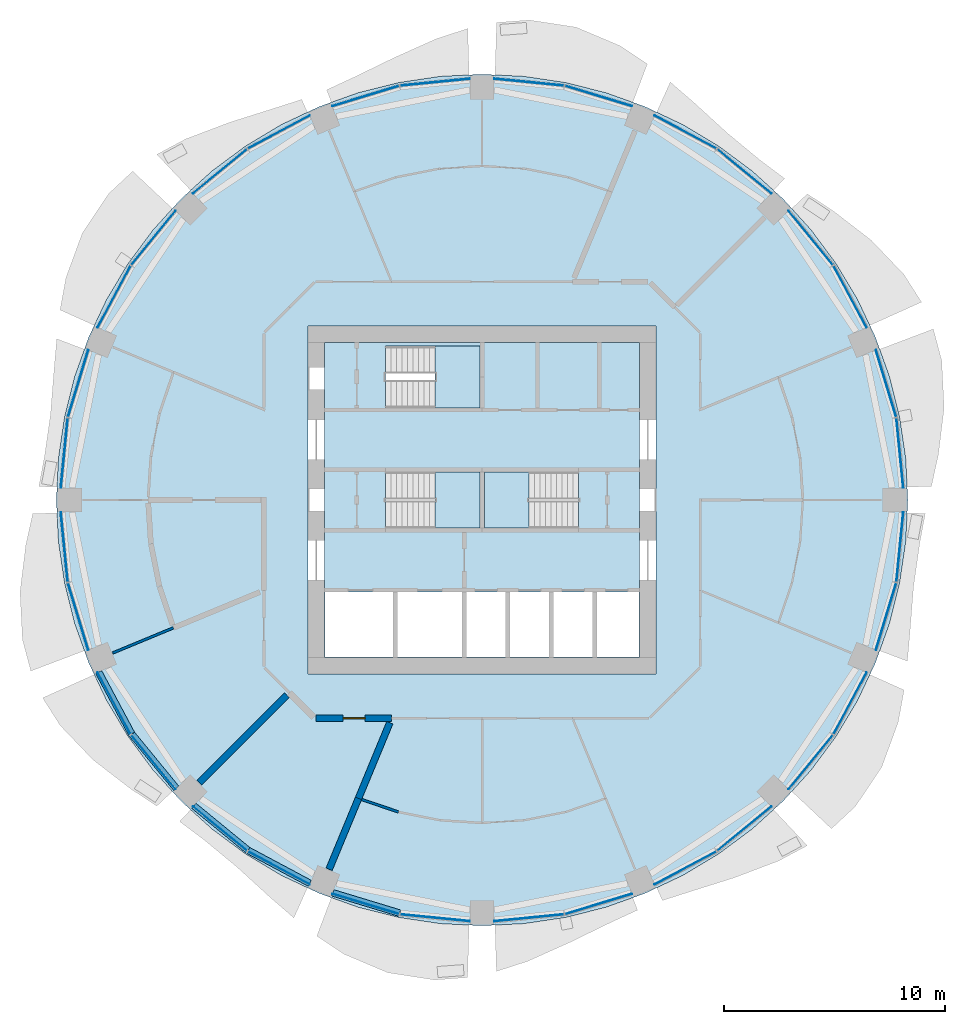
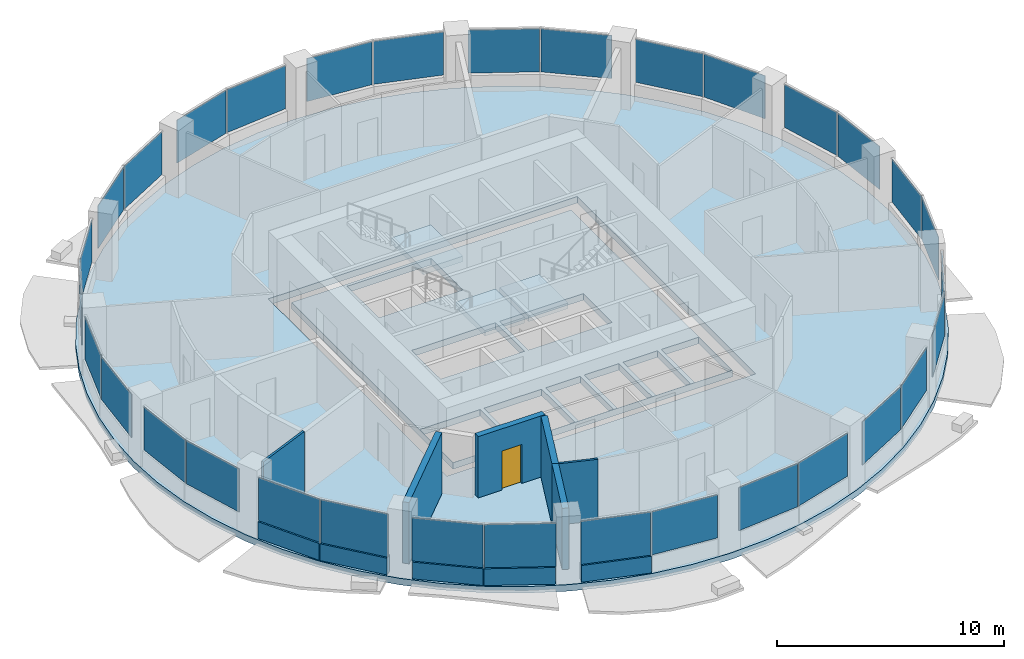
# One storey, part 6 of 14: 32 plates, 11 walls, 5 slabs, 1 door, 1 opening, 19 elements without a shape of their own.
"""IFC4 building model written with IfcOpenShell, lengths in metres."""

from ifc_helpers import new_model, si_unit, direction, frame, frame_2d, origin, origin_2d, place, context, subcontext, project, spatial, polyline, rectangle, outline, extrude, material, layer, layer_set, type_object, element, fill, aggregate, save


model = new_model("IFC4")

# Units and contexts
model_context = context("Model", 3, precision=1e-05, world=origin(), true_north=direction((0.0, 1.0)))
body_context = subcontext(model_context, "Body", "Model", "MODEL_VIEW")
ifc_project = project(units=[si_unit("LENGTHUNIT", "METRE"), si_unit("AREAUNIT", "SQUARE_METRE"), si_unit("VOLUMEUNIT", "CUBIC_METRE"), si_unit("PLANEANGLEUNIT", "RADIAN"), si_unit("MASSUNIT", "GRAM", prefix="KILO")], contexts=[model_context])

# Site, building, storey
site_placement = place(None, origin())
site = spatial("IfcSite", under=ifc_project, at=site_placement, CompositionType="ELEMENT")
building_placement = place(site_placement, origin())
building = spatial("IfcBuilding", under=site, at=building_placement, Name="Polderwave Tower", CompositionType="ELEMENT")
storey_placement = place(building_placement, frame((0.0, 0.0, 94.64990234375)))
storey = spatial("IfcBuildingStorey", under=building, at=storey_placement, Name="L24", CompositionType="ELEMENT", Elevation=94.64990234375)

# Slab
ifc_material_1 = material(Name="Concrete C40/50", Category="concrete")
ifc_layer_1 = layer(ifc_material_1, 0.35009765625)
ifc_layer_set_1 = layer_set([ifc_layer_1], Name="Core floor slab 350")
slab_type_1 = type_object("IfcSlabType", Name="Core floor slab 350", PredefinedType="FLOOR", material=ifc_layer_set_1)
slab_1_placement = place(storey_placement, frame((0.0, 0.0, -0.349853515625)))
element("IfcSlab", 1, at=slab_1_placement, inside=storey, type_object=slab_type_1, Name="L24 core floor", PredefinedType="FLOOR", context=body_context, shape_type="SweptSolid", body=[
    extrude(outline(polyline([(-7.1240234375, -7.1240234375), (7.1240234375, -7.1240234375), (7.1240234375, 7.1240234375), (-7.1240234375, 7.1240234375), (-7.1240234375, -7.1240234375)]), holes=[polyline([(-7.10400390625, -7.10400390625), (-4.037109375, -7.10400390625), (-4.037109375, -4.174072265625), (-7.10400390625, -4.174072265625), (-7.10400390625, -7.10400390625)]), polyline([(-3.8369140625, -7.10400390625), (-0.89990234375, -7.10400390625), (-0.89990234375, -4.174072265625), (-3.8369140625, -4.174072265625), (-3.8369140625, -7.10400390625)]), polyline([(-0.699951171875, -7.10400390625), (1.068603515625, -7.10400390625), (1.068603515625, -4.174072265625), (-0.699951171875, -4.174072265625), (-0.699951171875, -7.10400390625)]), polyline([(1.2685546875, -7.10400390625), (3.037109375, -7.10400390625), (3.037109375, -4.174072265625), (1.2685546875, -4.174072265625), (1.2685546875, -7.10400390625)]), polyline([(3.237060546875, -7.10400390625), (5.005615234375, -7.10400390625), (5.005615234375, -4.174072265625), (3.237060546875, -4.174072265625), (3.237060546875, -7.10400390625)]), polyline([(5.20556640625, -7.10400390625), (7.10400390625, -7.10400390625), (7.10400390625, -4.174072265625), (5.20556640625, -4.174072265625), (5.20556640625, -7.10400390625)]), polyline([(-4.37353515625, -1.2744140625), (-0.1005859375, -1.2744140625), (-0.1005859375, 1.2744140625), (-4.37353515625, 1.2744140625), (-4.37353515625, -1.2744140625)]), polyline([(0.1005859375, -1.2744140625), (4.37353515625, -1.2744140625), (4.37353515625, 1.2744140625), (0.1005859375, 1.2744140625), (0.1005859375, -1.2744140625)]), polyline([(-4.37353515625, 4.174560546875), (-0.1005859375, 4.174560546875), (-0.1005859375, 6.973388671875), (-4.37353515625, 6.973388671875), (-4.37353515625, 4.174560546875)])]), origin(), (0.0, 0.0, 1.0), 0.349853515625),
])

# Curtain wall, plates
ifc_material_2 = material(Name="Aluminium 6063-T6 and glass", Category="aluminium")
curtain_wall_type = type_object("IfcCurtainWallType", Name="Growing floor ribbon glazing wall", PredefinedType="NOTDEFINED", material=ifc_material_2)
curtain_wall_1_placement = place(storey_placement, origin())
curtain_wall_1 = element("IfcCurtainWall", 2, at=curtain_wall_1_placement, inside=storey, type_object=curtain_wall_type, Name="CW2 L24 00", PredefinedType="NOTDEFINED")
ifc_material_3 = material(Name="Glass, low-e laminated double glazing", Category="glass")
ifc_layer_2 = layer(ifc_material_3, 0.028076171875)
ifc_layer_set_2 = layer_set([ifc_layer_2], Name="Growing floor ribbon glazing glass panel 28 mm")
plate_type = type_object("IfcPlateType", Name="Growing floor ribbon glazing glass panel 28 mm", PredefinedType="CURTAIN_PANEL", material=ifc_layer_set_2)
plate_1_placement = place(storey_placement, frame((18.910888671875, 2.125, 0.89990234375), z_axis=(0.0, 0.0, 1.0), x_axis=(-0.097954610836, 0.995190883306, 0.0)))
plate_1 = element("IfcPlate", 3, at=plate_1_placement, type_object=plate_type, Name="CW2 panel 1", PredefinedType="CURTAIN_PANEL", context=body_context, shape_type="SweptSolid", body=[
    extrude(rectangle(XDim=3.165283203125, YDim=0.028076171875, at=origin_2d()), origin(), (0.0, 0.0, 1.0), 2.320068359375),
])
plate_2_placement = place(storey_placement, frame((18.28466796875, 5.2734375, 0.89990234375), z_axis=(0.0, 0.0, 1.0), x_axis=(-0.290389896585, 0.95690841148, 0.0)))
plate_2 = element("IfcPlate", 4, at=plate_2_placement, type_object=plate_type, Name="CW2 panel 2", PredefinedType="CURTAIN_PANEL", context=body_context, shape_type="SweptSolid", body=[
    extrude(rectangle(XDim=3.165771484375, YDim=0.028076171875, at=origin_2d()), origin(), (0.0, 0.0, 1.0), 2.320068359375),
])
aggregate(curtain_wall_1, [plate_1, plate_2])

curtain_wall_2_placement = place(storey_placement, origin())
curtain_wall_2 = element("IfcCurtainWall", 5, at=curtain_wall_2_placement, inside=storey, type_object=curtain_wall_type, Name="CW2 L24 01", PredefinedType="NOTDEFINED")
plate_3_placement = place(storey_placement, frame((16.658203125, 9.2001953125, 0.89990234375), z_axis=(0.0, 0.0, 1.0), x_axis=(-0.471205859658, 0.882023263766, 0.0)))
plate_3 = element("IfcPlate", 6, at=plate_3_placement, type_object=plate_type, Name="CW2 panel 1", PredefinedType="CURTAIN_PANEL", context=body_context, shape_type="SweptSolid", body=[
    extrude(rectangle(XDim=3.166015625, YDim=0.028076171875, at=origin_2d()), origin(), (0.0, 0.0, 1.0), 2.320068359375),
])
plate_4_placement = place(storey_placement, frame((14.87451171875, 11.86962890625, 0.89990234375), z_axis=(0.0, 0.0, 1.0), x_axis=(-0.634565960524, 0.772868709254, 0.0)))
plate_4 = element("IfcPlate", 7, at=plate_4_placement, type_object=plate_type, Name="CW2 panel 2", PredefinedType="CURTAIN_PANEL", context=body_context, shape_type="SweptSolid", body=[
    extrude(rectangle(XDim=3.166015625, YDim=0.028076171875, at=origin_2d()), origin(), (0.0, 0.0, 1.0), 2.320068359375),
])
aggregate(curtain_wall_2, [plate_3, plate_4])

curtain_wall_3_placement = place(storey_placement, origin())
curtain_wall_3 = element("IfcCurtainWall", 8, at=curtain_wall_3_placement, inside=storey, type_object=curtain_wall_type, Name="CW2 L24 02", PredefinedType="NOTDEFINED")
plate_5_placement = place(storey_placement, frame((11.86962890625, 14.87451171875, 0.89990234375), z_axis=(0.0, 0.0, 1.0), x_axis=(-0.772868709254, 0.634565960524, 0.0)))
plate_5 = element("IfcPlate", 9, at=plate_5_placement, type_object=plate_type, Name="CW2 panel 1", PredefinedType="CURTAIN_PANEL", context=body_context, shape_type="SweptSolid", body=[
    extrude(rectangle(XDim=3.166015625, YDim=0.028076171875, at=origin_2d()), origin(), (0.0, 0.0, 1.0), 2.320068359375),
])
plate_6_placement = place(storey_placement, frame((9.2001953125, 16.658203125, 0.89990234375), z_axis=(0.0, 0.0, 1.0), x_axis=(-0.882023263766, 0.471205859658, 0.0)))
plate_6 = element("IfcPlate", 10, at=plate_6_placement, type_object=plate_type, Name="CW2 panel 2", PredefinedType="CURTAIN_PANEL", context=body_context, shape_type="SweptSolid", body=[
    extrude(rectangle(XDim=3.166015625, YDim=0.028076171875, at=origin_2d()), origin(), (0.0, 0.0, 1.0), 2.320068359375),
])
aggregate(curtain_wall_3, [plate_5, plate_6])

curtain_wall_4_placement = place(storey_placement, origin())
curtain_wall_4 = element("IfcCurtainWall", 11, at=curtain_wall_4_placement, inside=storey, type_object=curtain_wall_type, Name="CW2 L24 03", PredefinedType="NOTDEFINED")
plate_7_placement = place(storey_placement, frame((5.2734375, 18.28466796875, 0.89990234375), z_axis=(0.0, 0.0, 1.0), x_axis=(-0.95690841148, 0.290389896585, 0.0)))
plate_7 = element("IfcPlate", 12, at=plate_7_placement, type_object=plate_type, Name="CW2 panel 1", PredefinedType="CURTAIN_PANEL", context=body_context, shape_type="SweptSolid", body=[
    extrude(rectangle(XDim=3.165771484375, YDim=0.028076171875, at=origin_2d()), origin(), (0.0, 0.0, 1.0), 2.320068359375),
])
plate_8_placement = place(storey_placement, frame((2.125, 18.910888671875, 0.89990234375), z_axis=(0.0, 0.0, 1.0), x_axis=(-0.995190883306, 0.097954610836, 0.0)))
plate_8 = element("IfcPlate", 13, at=plate_8_placement, type_object=plate_type, Name="CW2 panel 2", PredefinedType="CURTAIN_PANEL", context=body_context, shape_type="SweptSolid", body=[
    extrude(rectangle(XDim=3.165283203125, YDim=0.028076171875, at=origin_2d()), origin(), (0.0, 0.0, 1.0), 2.320068359375),
])
aggregate(curtain_wall_4, [plate_7, plate_8])

curtain_wall_5_placement = place(storey_placement, origin())
curtain_wall_5 = element("IfcCurtainWall", 14, at=curtain_wall_5_placement, inside=storey, type_object=curtain_wall_type, Name="CW2 L24 04", PredefinedType="NOTDEFINED")
plate_9_placement = place(storey_placement, frame((-2.125, 18.910888671875, 0.89990234375), z_axis=(0.0, 0.0, 1.0), x_axis=(-0.995190883306, -0.097954610836, 0.0)))
plate_9 = element("IfcPlate", 15, at=plate_9_placement, type_object=plate_type, Name="CW2 panel 1", PredefinedType="CURTAIN_PANEL", context=body_context, shape_type="SweptSolid", body=[
    extrude(rectangle(XDim=3.165283203125, YDim=0.028076171875, at=origin_2d()), origin(), (0.0, 0.0, 1.0), 2.320068359375),
])
plate_10_placement = place(storey_placement, frame((-5.2734375, 18.28466796875, 0.89990234375), z_axis=(0.0, 0.0, 1.0), x_axis=(-0.95690841148, -0.290389896585, 0.0)))
plate_10 = element("IfcPlate", 16, at=plate_10_placement, type_object=plate_type, Name="CW2 panel 2", PredefinedType="CURTAIN_PANEL", context=body_context, shape_type="SweptSolid", body=[
    extrude(rectangle(XDim=3.165771484375, YDim=0.028076171875, at=origin_2d()), origin(), (0.0, 0.0, 1.0), 2.320068359375),
])
aggregate(curtain_wall_5, [plate_9, plate_10])

curtain_wall_6_placement = place(storey_placement, origin())
curtain_wall_6 = element("IfcCurtainWall", 17, at=curtain_wall_6_placement, inside=storey, type_object=curtain_wall_type, Name="CW2 L24 05", PredefinedType="NOTDEFINED")
plate_11_placement = place(storey_placement, frame((-9.2001953125, 16.658203125, 0.89990234375), z_axis=(0.0, 0.0, 1.0), x_axis=(-0.882023263766, -0.471205859658, 0.0)))
plate_11 = element("IfcPlate", 18, at=plate_11_placement, type_object=plate_type, Name="CW2 panel 1", PredefinedType="CURTAIN_PANEL", context=body_context, shape_type="SweptSolid", body=[
    extrude(rectangle(XDim=3.166015625, YDim=0.028076171875, at=origin_2d()), origin(), (0.0, 0.0, 1.0), 2.320068359375),
])
plate_12_placement = place(storey_placement, frame((-11.86962890625, 14.87451171875, 0.89990234375), z_axis=(0.0, 0.0, 1.0), x_axis=(-0.772868709254, -0.634565960524, 0.0)))
plate_12 = element("IfcPlate", 19, at=plate_12_placement, type_object=plate_type, Name="CW2 panel 2", PredefinedType="CURTAIN_PANEL", context=body_context, shape_type="SweptSolid", body=[
    extrude(rectangle(XDim=3.166015625, YDim=0.028076171875, at=origin_2d()), origin(), (0.0, 0.0, 1.0), 2.320068359375),
])
aggregate(curtain_wall_6, [plate_11, plate_12])

curtain_wall_7_placement = place(storey_placement, origin())
curtain_wall_7 = element("IfcCurtainWall", 20, at=curtain_wall_7_placement, inside=storey, type_object=curtain_wall_type, Name="CW2 L24 06", PredefinedType="NOTDEFINED")
plate_13_placement = place(storey_placement, frame((-14.87451171875, 11.86962890625, 0.89990234375), z_axis=(0.0, 0.0, 1.0), x_axis=(-0.634565960524, -0.772868709254, 0.0)))
plate_13 = element("IfcPlate", 21, at=plate_13_placement, type_object=plate_type, Name="CW2 panel 1", PredefinedType="CURTAIN_PANEL", context=body_context, shape_type="SweptSolid", body=[
    extrude(rectangle(XDim=3.166015625, YDim=0.028076171875, at=origin_2d()), origin(), (0.0, 0.0, 1.0), 2.320068359375),
])
plate_14_placement = place(storey_placement, frame((-16.658203125, 9.2001953125, 0.89990234375), z_axis=(0.0, 0.0, 1.0), x_axis=(-0.471205859658, -0.882023263766, 0.0)))
plate_14 = element("IfcPlate", 22, at=plate_14_placement, type_object=plate_type, Name="CW2 panel 2", PredefinedType="CURTAIN_PANEL", context=body_context, shape_type="SweptSolid", body=[
    extrude(rectangle(XDim=3.166015625, YDim=0.028076171875, at=origin_2d()), origin(), (0.0, 0.0, 1.0), 2.320068359375),
])
aggregate(curtain_wall_7, [plate_13, plate_14])

curtain_wall_8_placement = place(storey_placement, origin())
curtain_wall_8 = element("IfcCurtainWall", 23, at=curtain_wall_8_placement, inside=storey, type_object=curtain_wall_type, Name="CW2 L24 07", PredefinedType="NOTDEFINED")
plate_15_placement = place(storey_placement, frame((-18.28466796875, 5.2734375, 0.89990234375), z_axis=(0.0, 0.0, 1.0), x_axis=(-0.290389896585, -0.95690841148, 0.0)))
plate_15 = element("IfcPlate", 24, at=plate_15_placement, type_object=plate_type, Name="CW2 panel 1", PredefinedType="CURTAIN_PANEL", context=body_context, shape_type="SweptSolid", body=[
    extrude(rectangle(XDim=3.165771484375, YDim=0.028076171875, at=origin_2d()), origin(), (0.0, 0.0, 1.0), 2.320068359375),
])
plate_16_placement = place(storey_placement, frame((-18.910888671875, 2.125, 0.89990234375), z_axis=(0.0, 0.0, 1.0), x_axis=(-0.097954610836, -0.995190883306, 0.0)))
plate_16 = element("IfcPlate", 25, at=plate_16_placement, type_object=plate_type, Name="CW2 panel 2", PredefinedType="CURTAIN_PANEL", context=body_context, shape_type="SweptSolid", body=[
    extrude(rectangle(XDim=3.165283203125, YDim=0.028076171875, at=origin_2d()), origin(), (0.0, 0.0, 1.0), 2.320068359375),
])
aggregate(curtain_wall_8, [plate_15, plate_16])

curtain_wall_9_placement = place(storey_placement, origin())
curtain_wall_9 = element("IfcCurtainWall", 26, at=curtain_wall_9_placement, inside=storey, type_object=curtain_wall_type, Name="CW2 L24 08", PredefinedType="NOTDEFINED")
plate_17_placement = place(storey_placement, frame((-18.910888671875, -2.125, 0.89990234375), z_axis=(0.0, 0.0, 1.0), x_axis=(0.097954610836, -0.995190883306, 0.0)))
plate_17 = element("IfcPlate", 27, at=plate_17_placement, type_object=plate_type, Name="CW2 panel 1", PredefinedType="CURTAIN_PANEL", context=body_context, shape_type="SweptSolid", body=[
    extrude(rectangle(XDim=3.165283203125, YDim=0.028076171875, at=origin_2d()), origin(), (0.0, 0.0, 1.0), 2.320068359375),
])
plate_18_placement = place(storey_placement, frame((-18.28466796875, -5.2734375, 0.89990234375), z_axis=(0.0, 0.0, 1.0), x_axis=(0.290389896585, -0.95690841148, 0.0)))
plate_18 = element("IfcPlate", 28, at=plate_18_placement, type_object=plate_type, Name="CW2 panel 2", PredefinedType="CURTAIN_PANEL", context=body_context, shape_type="SweptSolid", body=[
    extrude(rectangle(XDim=3.165771484375, YDim=0.028076171875, at=origin_2d()), origin(), (0.0, 0.0, 1.0), 2.320068359375),
])
aggregate(curtain_wall_9, [plate_17, plate_18])

curtain_wall_10_placement = place(storey_placement, origin())
curtain_wall_10 = element("IfcCurtainWall", 29, at=curtain_wall_10_placement, inside=storey, type_object=curtain_wall_type, Name="CW2 L24 09", PredefinedType="NOTDEFINED")
plate_19_placement = place(storey_placement, frame((-16.658203125, -9.2001953125, 0.89990234375), z_axis=(0.0, 0.0, 1.0), x_axis=(0.471205859658, -0.882023263766, 0.0)))
plate_19 = element("IfcPlate", 30, at=plate_19_placement, type_object=plate_type, Name="CW2 panel 1", PredefinedType="CURTAIN_PANEL", context=body_context, shape_type="SweptSolid", body=[
    extrude(rectangle(XDim=3.166015625, YDim=0.028076171875, at=origin_2d()), origin(), (0.0, 0.0, 1.0), 2.320068359375),
])
plate_20_placement = place(storey_placement, frame((-14.87451171875, -11.86962890625, 0.89990234375), z_axis=(0.0, 0.0, 1.0), x_axis=(0.634565960524, -0.772868709254, 0.0)))
plate_20 = element("IfcPlate", 31, at=plate_20_placement, type_object=plate_type, Name="CW2 panel 2", PredefinedType="CURTAIN_PANEL", context=body_context, shape_type="SweptSolid", body=[
    extrude(rectangle(XDim=3.166015625, YDim=0.028076171875, at=origin_2d()), origin(), (0.0, 0.0, 1.0), 2.320068359375),
])
aggregate(curtain_wall_10, [plate_19, plate_20])

curtain_wall_11_placement = place(storey_placement, origin())
curtain_wall_11 = element("IfcCurtainWall", 32, at=curtain_wall_11_placement, inside=storey, type_object=curtain_wall_type, Name="CW2 L24 10", PredefinedType="NOTDEFINED")
plate_21_placement = place(storey_placement, frame((-11.86962890625, -14.87451171875, 0.89990234375), z_axis=(0.0, 0.0, 1.0), x_axis=(0.772868709254, -0.634565960524, 0.0)))
plate_21 = element("IfcPlate", 33, at=plate_21_placement, type_object=plate_type, Name="CW2 panel 1", PredefinedType="CURTAIN_PANEL", context=body_context, shape_type="SweptSolid", body=[
    extrude(rectangle(XDim=3.166015625, YDim=0.028076171875, at=origin_2d()), origin(), (0.0, 0.0, 1.0), 2.320068359375),
])
plate_22_placement = place(storey_placement, frame((-9.2001953125, -16.658203125, 0.89990234375), z_axis=(0.0, 0.0, 1.0), x_axis=(0.882023263766, -0.471205859658, 0.0)))
plate_22 = element("IfcPlate", 34, at=plate_22_placement, type_object=plate_type, Name="CW2 panel 2", PredefinedType="CURTAIN_PANEL", context=body_context, shape_type="SweptSolid", body=[
    extrude(rectangle(XDim=3.166015625, YDim=0.028076171875, at=origin_2d()), origin(), (0.0, 0.0, 1.0), 2.320068359375),
])
aggregate(curtain_wall_11, [plate_21, plate_22])

curtain_wall_12_placement = place(storey_placement, origin())
curtain_wall_12 = element("IfcCurtainWall", 35, at=curtain_wall_12_placement, inside=storey, type_object=curtain_wall_type, Name="CW2 L24 11", PredefinedType="NOTDEFINED")
plate_23_placement = place(storey_placement, frame((-5.2734375, -18.28466796875, 0.89990234375), z_axis=(0.0, 0.0, 1.0), x_axis=(0.95690841148, -0.290389896585, 0.0)))
plate_23 = element("IfcPlate", 36, at=plate_23_placement, type_object=plate_type, Name="CW2 panel 1", PredefinedType="CURTAIN_PANEL", context=body_context, shape_type="SweptSolid", body=[
    extrude(rectangle(XDim=3.165771484375, YDim=0.028076171875, at=origin_2d()), origin(), (0.0, 0.0, 1.0), 2.320068359375),
])
plate_24_placement = place(storey_placement, frame((-2.125, -18.910888671875, 0.89990234375), z_axis=(0.0, 0.0, 1.0), x_axis=(0.995190883306, -0.097954610836, 0.0)))
plate_24 = element("IfcPlate", 37, at=plate_24_placement, type_object=plate_type, Name="CW2 panel 2", PredefinedType="CURTAIN_PANEL", context=body_context, shape_type="SweptSolid", body=[
    extrude(rectangle(XDim=3.165283203125, YDim=0.028076171875, at=origin_2d()), origin(), (0.0, 0.0, 1.0), 2.320068359375),
])
aggregate(curtain_wall_12, [plate_23, plate_24])

curtain_wall_13_placement = place(storey_placement, origin())
curtain_wall_13 = element("IfcCurtainWall", 38, at=curtain_wall_13_placement, inside=storey, type_object=curtain_wall_type, Name="CW2 L24 12", PredefinedType="NOTDEFINED")
plate_25_placement = place(storey_placement, frame((2.125, -18.910888671875, 0.89990234375), z_axis=(0.0, 0.0, 1.0), x_axis=(0.995190883306, 0.097954610836, 0.0)))
plate_25 = element("IfcPlate", 39, at=plate_25_placement, type_object=plate_type, Name="CW2 panel 1", PredefinedType="CURTAIN_PANEL", context=body_context, shape_type="SweptSolid", body=[
    extrude(rectangle(XDim=3.165283203125, YDim=0.028076171875, at=origin_2d()), origin(), (0.0, 0.0, 1.0), 2.320068359375),
])
plate_26_placement = place(storey_placement, frame((5.2734375, -18.28466796875, 0.89990234375), z_axis=(0.0, 0.0, 1.0), x_axis=(0.95690841148, 0.290389896585, 0.0)))
plate_26 = element("IfcPlate", 40, at=plate_26_placement, type_object=plate_type, Name="CW2 panel 2", PredefinedType="CURTAIN_PANEL", context=body_context, shape_type="SweptSolid", body=[
    extrude(rectangle(XDim=3.165771484375, YDim=0.028076171875, at=origin_2d()), origin(), (0.0, 0.0, 1.0), 2.320068359375),
])
aggregate(curtain_wall_13, [plate_25, plate_26])

curtain_wall_14_placement = place(storey_placement, origin())
curtain_wall_14 = element("IfcCurtainWall", 41, at=curtain_wall_14_placement, inside=storey, type_object=curtain_wall_type, Name="CW2 L24 13", PredefinedType="NOTDEFINED")
plate_27_placement = place(storey_placement, frame((9.2001953125, -16.658203125, 0.89990234375), z_axis=(0.0, 0.0, 1.0), x_axis=(0.882023263766, 0.471205859658, 0.0)))
plate_27 = element("IfcPlate", 42, at=plate_27_placement, type_object=plate_type, Name="CW2 panel 1", PredefinedType="CURTAIN_PANEL", context=body_context, shape_type="SweptSolid", body=[
    extrude(rectangle(XDim=3.166015625, YDim=0.028076171875, at=origin_2d()), origin(), (0.0, 0.0, 1.0), 2.320068359375),
])
plate_28_placement = place(storey_placement, frame((11.86962890625, -14.87451171875, 0.89990234375), z_axis=(0.0, 0.0, 1.0), x_axis=(0.772868709254, 0.634565960524, 0.0)))
plate_28 = element("IfcPlate", 43, at=plate_28_placement, type_object=plate_type, Name="CW2 panel 2", PredefinedType="CURTAIN_PANEL", context=body_context, shape_type="SweptSolid", body=[
    extrude(rectangle(XDim=3.166015625, YDim=0.028076171875, at=origin_2d()), origin(), (0.0, 0.0, 1.0), 2.320068359375),
])
aggregate(curtain_wall_14, [plate_27, plate_28])

curtain_wall_15_placement = place(storey_placement, origin())
curtain_wall_15 = element("IfcCurtainWall", 44, at=curtain_wall_15_placement, inside=storey, type_object=curtain_wall_type, Name="CW2 L24 14", PredefinedType="NOTDEFINED")
plate_29_placement = place(storey_placement, frame((14.87451171875, -11.86962890625, 0.89990234375), z_axis=(0.0, 0.0, 1.0), x_axis=(0.634565960524, 0.772868709254, 0.0)))
plate_29 = element("IfcPlate", 45, at=plate_29_placement, type_object=plate_type, Name="CW2 panel 1", PredefinedType="CURTAIN_PANEL", context=body_context, shape_type="SweptSolid", body=[
    extrude(rectangle(XDim=3.166015625, YDim=0.028076171875, at=origin_2d()), origin(), (0.0, 0.0, 1.0), 2.320068359375),
])
plate_30_placement = place(storey_placement, frame((16.658203125, -9.2001953125, 0.89990234375), z_axis=(0.0, 0.0, 1.0), x_axis=(0.471205859658, 0.882023263766, 0.0)))
plate_30 = element("IfcPlate", 46, at=plate_30_placement, type_object=plate_type, Name="CW2 panel 2", PredefinedType="CURTAIN_PANEL", context=body_context, shape_type="SweptSolid", body=[
    extrude(rectangle(XDim=3.166015625, YDim=0.028076171875, at=origin_2d()), origin(), (0.0, 0.0, 1.0), 2.320068359375),
])
aggregate(curtain_wall_15, [plate_29, plate_30])

curtain_wall_16_placement = place(storey_placement, origin())
curtain_wall_16 = element("IfcCurtainWall", 47, at=curtain_wall_16_placement, inside=storey, type_object=curtain_wall_type, Name="CW2 L24 15", PredefinedType="NOTDEFINED")
plate_31_placement = place(storey_placement, frame((18.28466796875, -5.2734375, 0.89990234375), z_axis=(0.0, 0.0, 1.0), x_axis=(0.290389896585, 0.95690841148, 0.0)))
plate_31 = element("IfcPlate", 48, at=plate_31_placement, type_object=plate_type, Name="CW2 panel 1", PredefinedType="CURTAIN_PANEL", context=body_context, shape_type="SweptSolid", body=[
    extrude(rectangle(XDim=3.165771484375, YDim=0.028076171875, at=origin_2d()), origin(), (0.0, 0.0, 1.0), 2.320068359375),
])
plate_32_placement = place(storey_placement, frame((18.910888671875, -2.125, 0.89990234375), z_axis=(0.0, 0.0, 1.0), x_axis=(0.097954610836, 0.995190883306, 0.0)))
plate_32 = element("IfcPlate", 49, at=plate_32_placement, type_object=plate_type, Name="CW2 panel 2", PredefinedType="CURTAIN_PANEL", context=body_context, shape_type="SweptSolid", body=[
    extrude(rectangle(XDim=3.165283203125, YDim=0.028076171875, at=origin_2d()), origin(), (0.0, 0.0, 1.0), 2.320068359375),
])
aggregate(curtain_wall_16, [plate_31, plate_32])

# Slab
ifc_layer_3 = layer(ifc_material_1, 0.35009765625)
ifc_layer_set_3 = layer_set([ifc_layer_3], Name="PT FLOOR SLAB 350 C40/50")
slab_type_2 = type_object("IfcSlabType", Name="PT FLOOR SLAB 350 C40/50", PredefinedType="FLOOR", material=ifc_layer_set_3)
slab_2_placement = place(storey_placement, frame((0.0, 0.0, -0.349853515625)))
element("IfcSlab", 50, at=slab_2_placement, inside=storey, type_object=slab_type_2, Name="ST-SLAB-L24", PredefinedType="FLOOR", context=body_context, shape_type="SweptSolid", body=[
    extrude(outline(polyline([(19.27001953125, 0.0), (19.17724609375, 1.888916015625), (18.899658203125, 3.759521484375), (18.440185546875, 5.59375), (17.80322265625, 7.374267578125), (16.99462890625, 9.083740234375), (16.0224609375, 10.705810546875), (14.89599609375, 12.224853515625), (13.6259765625, 13.6259765625), (12.224853515625, 14.89599609375), (10.705810546875, 16.0224609375), (9.083740234375, 16.99462890625), (7.374267578125, 17.80322265625), (5.59375, 18.440185546875), (3.759521484375, 18.899658203125), (1.888916015625, 19.17724609375), (0.0, 19.27001953125), (-1.888916015625, 19.17724609375), (-3.759521484375, 18.899658203125), (-5.59375, 18.440185546875), (-7.374267578125, 17.80322265625), (-9.083740234375, 16.99462890625), (-10.705810546875, 16.0224609375), (-12.224853515625, 14.89599609375), (-13.6259765625, 13.6259765625), (-14.89599609375, 12.224853515625), (-16.0224609375, 10.705810546875), (-16.99462890625, 9.083740234375), (-17.80322265625, 7.374267578125), (-18.440185546875, 5.59375), (-18.899658203125, 3.759521484375), (-19.17724609375, 1.888916015625), (-19.27001953125, 0.0), (-19.17724609375, -1.888916015625), (-18.899658203125, -3.759521484375), (-18.440185546875, -5.59375), (-17.80322265625, -7.374267578125), (-16.99462890625, -9.083740234375), (-16.0224609375, -10.705810546875), (-14.89599609375, -12.224853515625), (-13.6259765625, -13.6259765625), (-12.224853515625, -14.89599609375), (-10.705810546875, -16.0224609375), (-9.083740234375, -16.99462890625), (-7.374267578125, -17.80322265625), (-5.59375, -18.440185546875), (-3.759521484375, -18.899658203125), (-1.888916015625, -19.17724609375), (0.0, -19.27001953125), (1.888916015625, -19.17724609375), (3.759521484375, -18.899658203125), (5.59375, -18.440185546875), (7.374267578125, -17.80322265625), (9.083740234375, -16.99462890625), (10.705810546875, -16.0224609375), (12.224853515625, -14.89599609375), (13.6259765625, -13.6259765625), (14.89599609375, -12.224853515625), (16.0224609375, -10.705810546875), (16.99462890625, -9.083740234375), (17.80322265625, -7.374267578125), (18.440185546875, -5.59375), (18.899658203125, -3.759521484375), (19.17724609375, -1.888916015625), (19.27001953125, 0.0)]), holes=[polyline([(-7.8740234375, -7.8740234375), (7.8740234375, -7.8740234375), (7.8740234375, 7.8740234375), (-7.8740234375, 7.8740234375), (-7.8740234375, -7.8740234375)])]), origin(), (0.0, 0.0, 1.0), 0.349853515625),
])

# Stair, slab
stair_type = type_object("IfcStairType", Name="Exit stair 1200 x 20 risers", PredefinedType="HALF_TURN_STAIR", material=ifc_material_1)
stair_1_placement = place(storey_placement, origin())
stair_1 = element("IfcStair", 51, at=stair_1_placement, inside=storey, type_object=stair_type, Name="L24 Exit stair A", PredefinedType="HALF_TURN_STAIR")
ifc_layer_4 = layer(ifc_material_1, 0.300048828125)
ifc_layer_set_4 = layer_set([ifc_layer_4], Name="Stair landing 300")
slab_type_3 = type_object("IfcSlabType", Name="Stair landing 300", PredefinedType="LANDING", material=ifc_layer_set_4)
slab_3_placement = place(storey_placement, frame((0.0, 0.0, 1.525146484375)))
slab_3 = element("IfcSlab", 52, at=slab_3_placement, type_object=slab_type_3, Name="ST-A landing 1", PredefinedType="LANDING", context=body_context, shape_type="SweptSolid", body=[
    extrude(outline(polyline([(-2.1240234375, -1.27490234375), (-0.10009765625, -1.27490234375), (-0.10009765625, 1.27490234375), (-2.1240234375, 1.27490234375), (-2.1240234375, -1.27490234375)])), origin(), (0.0, 0.0, 1.0), 0.300048828125),
])
aggregate(stair_1, [slab_3])

stair_2_placement = place(storey_placement, origin())
stair_2 = element("IfcStair", 53, at=stair_2_placement, inside=storey, type_object=stair_type, Name="L24 Exit stair B", PredefinedType="HALF_TURN_STAIR")
slab_4_placement = place(storey_placement, frame((0.0, 0.0, 1.525146484375)))
slab_4 = element("IfcSlab", 54, at=slab_4_placement, type_object=slab_type_3, Name="ST-B landing 1", PredefinedType="LANDING", context=body_context, shape_type="SweptSolid", body=[
    extrude(outline(polyline([(2.1240234375, 1.27490234375), (0.10009765625, 1.27490234375), (0.10009765625, -1.27490234375), (2.1240234375, -1.27490234375), (2.1240234375, 1.27490234375)])), origin(), (0.0, 0.0, 1.0), 0.300048828125),
])
aggregate(stair_2, [slab_4])

stair_3_placement = place(storey_placement, origin())
stair_3 = element("IfcStair", 55, at=stair_3_placement, inside=storey, type_object=stair_type, Name="L24 Exit stair C", PredefinedType="HALF_TURN_STAIR")
slab_5_placement = place(storey_placement, frame((0.0, 0.0, 1.525146484375)))
slab_5 = element("IfcSlab", 56, at=slab_5_placement, type_object=slab_type_3, Name="ST-C landing 1", PredefinedType="LANDING", context=body_context, shape_type="SweptSolid", body=[
    extrude(outline(polyline([(-2.1240234375, 4.174072265625), (-0.10009765625, 4.174072265625), (-0.10009765625, 6.97412109375), (-2.1240234375, 6.97412109375), (-2.1240234375, 4.174072265625)])), origin(), (0.0, 0.0, 1.0), 0.300048828125),
])
aggregate(stair_3, [slab_5])

# Wall, opening, door
ifc_material_4 = material(Name="Insulated sandwich panel")
ifc_layer_5 = layer(ifc_material_4, 0.300048828125)
ifc_layer_set_5 = layer_set([ifc_layer_5], Name="Cold room wall 300 mm insulated panel")
wall_type_1 = type_object("IfcWallType", Name="Cold room wall 300 mm insulated panel", PredefinedType="PARTITIONING", material=ifc_layer_set_5)
wall_1_placement = place(storey_placement, frame((-4.08984375, -9.8740234375, 0.0), z_axis=(0.0, 0.0, 1.0), x_axis=(-1.0, 0.0, 0.0)))
wall_1 = element("IfcWall", 57, at=wall_1_placement, inside=storey, type_object=wall_type_1, Name="IN-L24-W017", PredefinedType="PARTITIONING", context=body_context, shape_type="SweptSolid", body=[
    extrude(rectangle(XDim=3.419189453125, YDim=0.300048828125, at=frame_2d((1.70947265625, 0.0))), origin(), (0.0, 0.0, 1.0), 3.300048828125),
])
opening_placement = place(wall_1_placement, frame((1.199951171875, 0.0, 0.0)))
opening = element("IfcOpeningElement", 58, at=opening_placement, cuts=wall_1, Name="Opening L24-D56", PredefinedType="OPENING", context=body_context, shape_type="SweptSolid", body=[
    extrude(rectangle(XDim=1.0, YDim=2.10009765625, at=frame_2d((0.5, 1.050048828125))), frame((0.0, 0.159912109375, 0.0), z_axis=(0.0, -1.0, 0.0), x_axis=(1.0, 0.0, 0.0)), (0.0, 0.0, 1.0), 0.320068359375),
])
ifc_material_5 = material(Name="Steel plant door leaf", Category="steel")
door_type = type_object("IfcDoorType", Name="Plant door FD60 1000 x 2100 steel", OperationType="NOTDEFINED", PredefinedType="DOOR", material=ifc_material_5)
door_placement = place(opening_placement, origin())
door = element("IfcDoor", 59, at=door_placement, inside=storey, type_object=door_type, Name="Door L24-D56", OperationType="SINGLE_SWING_LEFT", OverallHeight=2.10009765625, OverallWidth=1.0, PredefinedType="DOOR", context=body_context, shape_type="SweptSolid", body=[
    extrude(rectangle(XDim=1.0, YDim=2.10009765625, at=frame_2d((0.5, 1.050048828125))), frame((0.0, 0.02490234375, 0.0), z_axis=(0.0, -1.0, 0.0), x_axis=(1.0, 0.0, 0.0)), (0.0, 0.0, 1.0), 0.050048828125),
])
fill(opening, door)

# Walls
wall_2_placement = place(storey_placement, frame((-12.79150390625, -12.79150390625, 0.0), z_axis=(0.0, 0.0, 1.0), x_axis=(0.707106781187, 0.707106781187, 0.0)))
element("IfcWall", 60, at=wall_2_placement, inside=storey, type_object=wall_type_1, Name="IN-L24-W053", PredefinedType="PARTITIONING", context=body_context, shape_type="SweptSolid", body=[
    extrude(rectangle(XDim=5.6044921875, YDim=0.300048828125, at=frame_2d((2.80224609375, 0.0))), origin(), (0.0, 0.0, 1.0), 3.300048828125),
])
wall_3_placement = place(storey_placement, frame((-4.17578125, -10.081298828125, 0.0), z_axis=(0.0, 0.0, 1.0), x_axis=(-0.382669680004, -0.923885228806, 0.0)))
element("IfcWall", 61, at=wall_3_placement, inside=storey, type_object=wall_type_1, Name="IN-L24-W054", PredefinedType="PARTITIONING", context=body_context, shape_type="SweptSolid", body=[
    extrude(rectangle(XDim=3.7080078125, YDim=0.300048828125, at=frame_2d((1.85400390625, 0.0))), origin(), (0.0, 0.0, 1.0), 3.300048828125),
])
wall_4_placement = place(storey_placement, frame((-5.5947265625, -13.507080078125, 0.0), z_axis=(0.0, 0.0, 1.0), x_axis=(-0.382681133009, -0.923880484932, 0.0)))
element("IfcWall", 62, at=wall_4_placement, inside=storey, type_object=wall_type_1, Name="IN-L24-W055", PredefinedType="PARTITIONING", context=body_context, shape_type="SweptSolid", body=[
    extrude(rectangle(XDim=3.469970703125, YDim=0.300048828125, at=frame_2d((1.73486328125, 0.0))), origin(), (0.0, 0.0, 1.0), 3.300048828125),
])
ifc_material_6 = material(Name="Concrete C50/60 (board-marked)", Category="concrete")
ifc_layer_6 = layer(ifc_material_6, 0.300048828125)
ifc_layer_set_6 = layer_set([ifc_layer_6], Name="Concrete spandrel upstand C50/60")
wall_type_2 = type_object("IfcWallType", Name="Concrete spandrel upstand C50/60", PredefinedType="SOLIDWALL", material=ifc_layer_set_6)
for number, where, z_axis, x_axis, name in (
    (63, (-17.350830078125, -7.797119140625, 0.0), (0.0, 0.0, 1.0), (0.471238306932, -0.882005928597, 0.0), "Spandrel L24 10a"),
    (64, (-15.846435546875, -10.606689453125, 0.0), (0.0, 0.0, 1.0), (0.63437822698, -0.773022810229, 0.0), "Spandrel L24 10b"),
    (65, (-13.04736328125, -13.843505859375, 0.0), (0.0, 0.0, 1.0), (0.773022810229, -0.63437822698, 0.0), "Spandrel L24 11a"),
    (66, (-10.581787109375, -15.863037109375, 0.0), (0.0, 0.0, 1.0), (0.882005928597, -0.471238306932, 0.0), "Spandrel L24 11b"),
):
    element("IfcWall", number, at=place(storey_placement, frame(where, z_axis=z_axis, x_axis=x_axis)), inside=storey, type_object=wall_type_2, Name=name, PredefinedType="SOLIDWALL", context=body_context, shape_type="SweptSolid", body=[
        extrude(rectangle(XDim=3.1572265625, YDim=0.300048828125, at=frame_2d((1.57861328125, 0.0))), origin(), (0.0, 0.0, 1.0), 0.900146484375),
    ])
wall_5_placement = place(storey_placement, frame((-6.755615234375, -17.782470703125, 0.0), z_axis=(0.0, 0.0, 1.0), x_axis=(0.956874051907, -0.290503096001, 0.0)))
element("IfcWall", 67, at=wall_5_placement, inside=storey, type_object=wall_type_2, Name="Spandrel L24 12a", PredefinedType="SOLIDWALL", context=body_context, shape_type="SweptSolid", body=[
    extrude(rectangle(XDim=3.157470703125, YDim=0.300048828125, at=frame_2d((1.57861328125, 0.0))), origin(), (0.0, 0.0, 1.0), 0.900146484375),
])
ifc_material_7 = material(Name="Acoustic double plasterboard on steel studs", Category="steel")
ifc_layer_7 = layer(ifc_material_7, 0.110107421875)
ifc_layer_set_7 = layer_set([ifc_layer_7], Name="Partition 110 mm acoustic double board")
wall_type_3 = type_object("IfcWallType", Name="Partition 110 mm acoustic double board", PredefinedType="PARTITIONING", material=ifc_layer_set_7)
wall_6_placement = place(storey_placement, frame((-13.968994140625, -5.7861328125, 0.0), z_axis=(0.0, 0.0, 1.0), x_axis=(-0.923889594764, -0.382659139036, 0.0)))
element("IfcWall", 68, at=wall_6_placement, inside=storey, type_object=wall_type_3, Name="IN-L24-W051", PredefinedType="PARTITIONING", context=body_context, shape_type="SweptSolid", body=[
    extrude(rectangle(XDim=2.969970703125, YDim=0.110107421875, at=frame_2d((1.48486328125, 0.0))), origin(), (0.0, 0.0, 1.0), 3.300048828125),
])
wall_7_placement = place(storey_placement, frame((-3.787353515625, -14.12060546875, 0.0), z_axis=(0.0, 0.0, 1.0), x_axis=(-0.946943921292, 0.321398833116, 0.0)))
element("IfcWall", 69, at=wall_7_placement, inside=storey, type_object=wall_type_3, Name="IN-L24-W056", PredefinedType="PARTITIONING", context=body_context, shape_type="SweptSolid", body=[
    extrude(rectangle(XDim=1.754638671875, YDim=0.110107421875, at=frame_2d((0.87744140625, 0.0))), origin(), (0.0, 0.0, 1.0), 3.300048828125),
])

save(model, "model.ifc")
